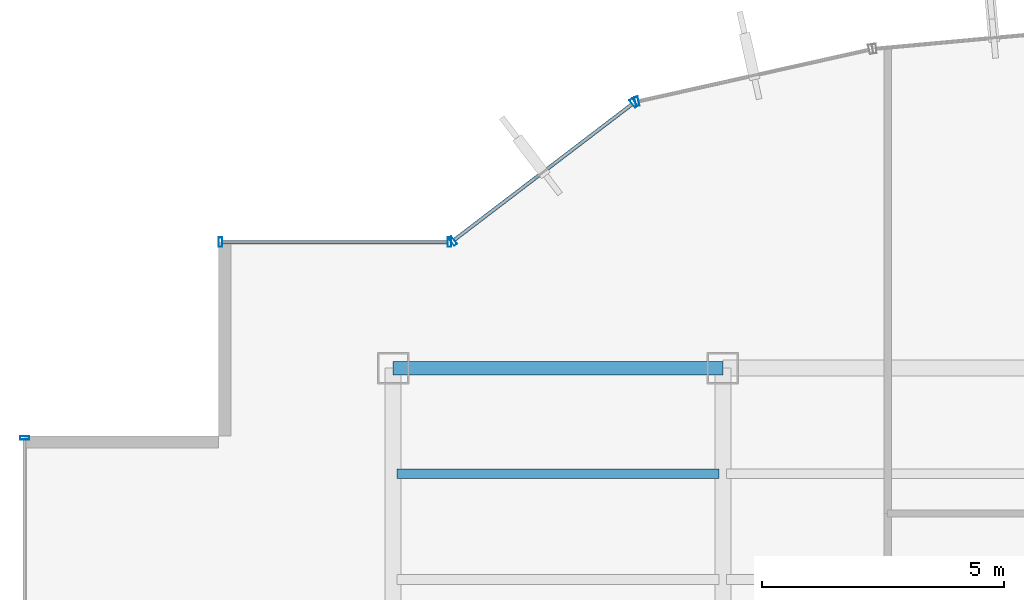
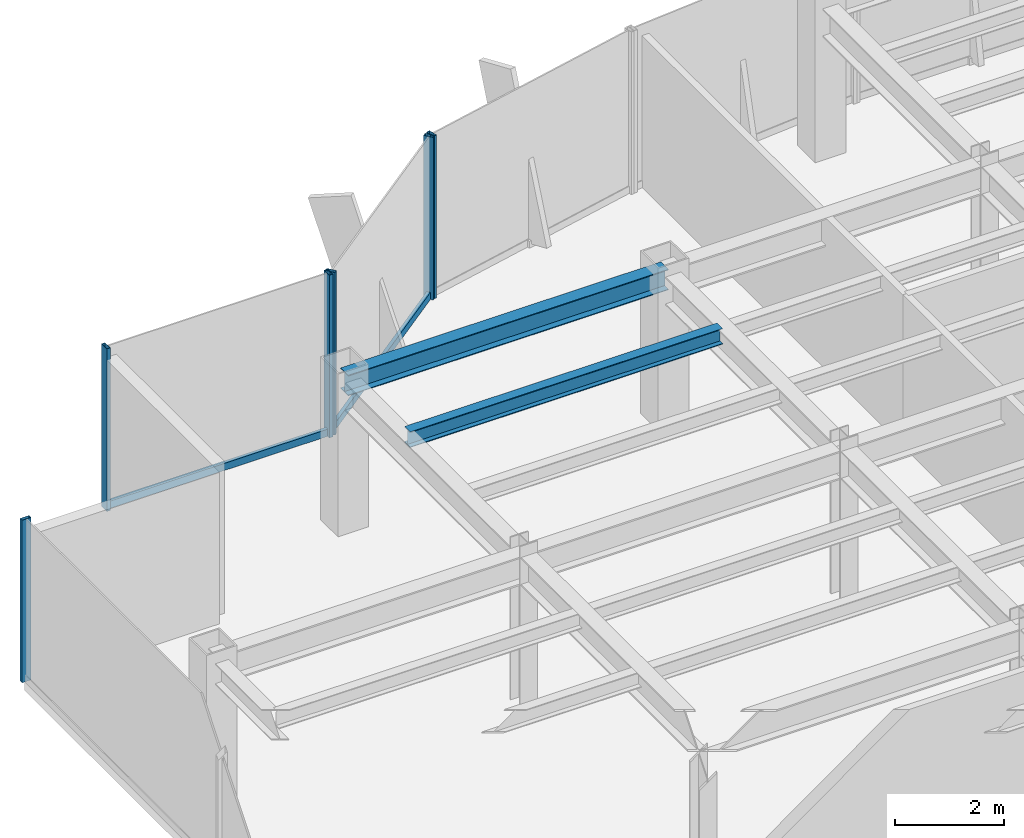
# One storey, part 14 of 25: 8 members, 2 beams, 4 elements without a shape of their own.
"""IFC4 building model written with IfcOpenShell, lengths in metres."""

from ifc_helpers import new_model, si_unit, derived_unit, direction, frame, origin, origin_2d, place, context, subcontext, project, spatial, hollow_rectangle, i_section, extrude, source, transform, mapped, material, material_profile, profile_set, type_object, element, aggregate, save


model = new_model("IFC4")

# Units and contexts
model_context = context("Model", 3, precision=1e-05, world=origin(), true_north=direction((0.0, 1.0)))
body_context = subcontext(model_context, "Body", "Model", "MODEL_VIEW")
ifc_project = project(units=[si_unit("LENGTHUNIT", "METRE"), si_unit("AREAUNIT", "SQUARE_METRE"), si_unit("VOLUMEUNIT", "CUBIC_METRE"), si_unit("PLANEANGLEUNIT", "RADIAN"), si_unit("MASSUNIT", "GRAM", prefix="KILO"), derived_unit("THERMALTRANSMITTANCEUNIT", [(si_unit("POWERUNIT", "WATT"), 1), (si_unit("LENGTHUNIT", "METRE"), -2), (si_unit("THERMODYNAMICTEMPERATUREUNIT", "KELVIN"), -1)])], contexts=[model_context])

# Site, building, storey
site_placement = place(None, origin())
site = spatial("IfcSite", under=ifc_project, at=site_placement, CompositionType="ELEMENT")
building_placement = place(site_placement, origin())
building = spatial("IfcBuilding", under=site, at=building_placement, Name="Skarnbrae Concourse Arena and Tower", CompositionType="ELEMENT")
storey_placement = place(building_placement, frame((0.0, 0.0, 177.10009765625)))
storey = spatial("IfcBuildingStorey", under=building, at=storey_placement, Name="L45", CompositionType="ELEMENT", Elevation=177.10009765625)

# Beams
ifc_material_1 = material(Name="Steel CSA G40.21 350W", Category="steel")
ifc_material_profile_1 = material_profile(ifc_material_1, i_section(OverallWidth=0.280029296875, OverallDepth=0.462890625, WebThickness=0.0107421875, FlangeThickness=0.017333984375, at=origin_2d()), Name="W460X113")
ifc_profile_set_1 = profile_set([ifc_material_profile_1], Name="Steel CSA G40.21 350W")
beam_type_1 = type_object("IfcBeamType", Name="BM-SPAN-W460X113", PredefinedType="SPANDREL", material=ifc_profile_set_1)
shared_shape_1 = source(origin(), body_context, "Body", "SweptSolid", [
    extrude(i_section(OverallWidth=0.280029296875, OverallDepth=0.462890625, WebThickness=0.0107421875, FlangeThickness=0.017333984375, at=origin_2d()), origin(), (0.0, 0.0, 1.0), 6.7998046875),
])
beam_1_placement = place(storey_placement, frame((7.60009765625, 34.39990234375, 3.16845703125), z_axis=(1.0, 0.0, 0.0), x_axis=(0.0, 1.0, 0.0)))
element("IfcBeam", 1, at=beam_1_placement, inside=storey, type_object=beam_type_1, Name="L45 Perimeter spandrel Y34.4-1", PredefinedType="SPANDREL", context=body_context, shape_type="MappedRepresentation", body=[
    mapped(shared_shape_1, transform((0.0, 0.0, 0.0))),
])
ifc_material_profile_2 = material_profile(ifc_material_1, i_section(OverallWidth=0.205078125, OverallDepth=0.35400390625, WebThickness=0.009521484375, FlangeThickness=0.016845703125, at=origin_2d()), Name="W360X79")
ifc_profile_set_2 = profile_set([ifc_material_profile_2], Name="Steel CSA G40.21 350W")
beam_type_2 = type_object("IfcBeamType", Name="BM-JOIST-W360X79", PredefinedType="JOIST", material=ifc_profile_set_2)
shared_shape_2 = source(origin(), body_context, "Body", "SweptSolid", [
    extrude(i_section(OverallWidth=0.205078125, OverallDepth=0.35400390625, WebThickness=0.009521484375, FlangeThickness=0.016845703125, at=origin_2d()), origin(), (0.0, 0.0, 1.0), 6.64013671875),
])
beam_2_placement = place(storey_placement, frame((7.679931640625, 32.221923828125, 3.222900390625), z_axis=(1.0, 0.0, 0.0), x_axis=(0.0, 1.0, 0.0)))
element("IfcBeam", 2, at=beam_2_placement, inside=storey, type_object=beam_type_2, Name="L45 Secondary floor joist 3.2.1", PredefinedType="JOIST", context=body_context, shape_type="MappedRepresentation", body=[
    mapped(shared_shape_2, transform((0.0, 0.0, 0.0))),
])

# Curtain wall, member
ifc_material_2 = material(Name="Bronze anodised aluminium 6063-T6", Category="aluminium")
curtain_wall_type = type_object("IfcCurtainWallType", Name="CW-SYS-04-MIDZONE", PredefinedType="USERDEFINED", material=ifc_material_2)
curtain_wall_1_placement = place(storey_placement, origin())
curtain_wall_1 = element("IfcCurtainWall", 3, at=curtain_wall_1_placement, inside=storey, type_object=curtain_wall_type, Name="L45 Unitised curtain wall CW-L45-E13", ObjectType="UNITISED CURTAIN WALL", PredefinedType="USERDEFINED")
ifc_material_profile_3 = material_profile(ifc_material_2, hollow_rectangle(XDim=0.074951171875, YDim=0.195068359375, WallThickness=0.00439453125, at=origin_2d()), Name="ALU-MULL-75X195")
ifc_profile_set_3 = profile_set([ifc_material_profile_3], Name="Bronze anodised aluminium 6063-T6")
member_type_1 = type_object("IfcMemberType", Name="CWM-CW-04", PredefinedType="MULLION", material=ifc_profile_set_3)
shared_shape_3 = source(origin(), body_context, "Body", "SweptSolid", [
    extrude(hollow_rectangle(XDim=0.074951171875, YDim=0.195068359375, WallThickness=0.00439453125, at=origin_2d()), origin(), (0.0, 0.0, 1.0), 3.64990234375),
])
member_1_placement = place(storey_placement, frame((12.627197265625, 39.90087890625, 0.0), z_axis=(0.0, 0.0, 1.0), x_axis=(-0.975936175393, -0.218056372433, 0.0)))
member_1 = element("IfcMember", 4, at=member_1_placement, type_object=member_type_1, Name="CW-L45-E13 Mullion 2", PredefinedType="MULLION", context=body_context, shape_type="MappedRepresentation", body=[
    mapped(shared_shape_3, transform((0.0, 0.0, 0.0))),
])
aggregate(curtain_wall_1, [member_1])

# Curtain wall, members
curtain_wall_2_placement = place(storey_placement, origin())
curtain_wall_2 = element("IfcCurtainWall", 5, at=curtain_wall_2_placement, inside=storey, type_object=curtain_wall_type, Name="L45 Unitised curtain wall CW-L45-E14", ObjectType="UNITISED CURTAIN WALL", PredefinedType="USERDEFINED")
member_2_placement = place(storey_placement, frame((12.560791015625, 39.869873046875, 0.0), z_axis=(0.0, 0.0, 1.0), x_axis=(-0.794956000706, -0.606667089054, 0.0)))
member_2 = element("IfcMember", 6, at=member_2_placement, type_object=member_type_1, Name="CW-L45-E14 Mullion 1", PredefinedType="MULLION", context=body_context, shape_type="MappedRepresentation", body=[
    mapped(shared_shape_3, transform((0.0, 0.0, 0.0))),
])
member_3_placement = place(storey_placement, frame((8.829833984375, 37.022705078125, 0.0), z_axis=(0.0, 0.0, 1.0), x_axis=(-0.794956000706, -0.606667089054, 0.0)))
member_3 = element("IfcMember", 7, at=member_3_placement, type_object=member_type_1, Name="CW-L45-E14 Mullion 2", PredefinedType="MULLION", context=body_context, shape_type="MappedRepresentation", body=[
    mapped(shared_shape_3, transform((0.0, 0.0, 0.0))),
])

curtain_wall_3_placement = place(storey_placement, origin())
curtain_wall_3 = element("IfcCurtainWall", 8, at=curtain_wall_3_placement, inside=storey, type_object=curtain_wall_type, Name="L45 Unitised curtain wall CW-L45-E15", ObjectType="UNITISED CURTAIN WALL", PredefinedType="USERDEFINED")
member_4_placement = place(storey_placement, frame((8.762451171875, 37.0, 0.0), z_axis=(0.0, 0.0, 1.0), x_axis=(-1.0, 0.0, 0.0)))
member_4 = element("IfcMember", 9, at=member_4_placement, type_object=member_type_1, Name="CW-L45-E15 Mullion 1", PredefinedType="MULLION", context=body_context, shape_type="MappedRepresentation", body=[
    mapped(shared_shape_3, transform((0.0, 0.0, 0.0))),
])
member_5_placement = place(storey_placement, frame((4.03759765625, 37.0, 0.0), z_axis=(0.0, 0.0, 1.0), x_axis=(-1.0, 0.0, 0.0)))
member_5 = element("IfcMember", 10, at=member_5_placement, type_object=member_type_1, Name="CW-L45-E15 Mullion 2", PredefinedType="MULLION", context=body_context, shape_type="MappedRepresentation", body=[
    mapped(shared_shape_3, transform((0.0, 0.0, 0.0))),
])

# Curtain wall, member
curtain_wall_4_placement = place(storey_placement, origin())
curtain_wall_4 = element("IfcCurtainWall", 11, at=curtain_wall_4_placement, inside=storey, type_object=curtain_wall_type, Name="L45 Unitised curtain wall CW-L45-E18", ObjectType="UNITISED CURTAIN WALL", PredefinedType="USERDEFINED")
member_6_placement = place(storey_placement, frame((0.0, 32.96240234375, 0.0), z_axis=(0.0, 0.0, 1.0), x_axis=(0.0, -1.0, 0.0)))
member_6 = element("IfcMember", 12, at=member_6_placement, type_object=member_type_1, Name="CW-L45-E18 Mullion 1", PredefinedType="MULLION", context=body_context, shape_type="MappedRepresentation", body=[
    mapped(shared_shape_3, transform((0.0, 0.0, 0.0))),
])
aggregate(curtain_wall_4, [member_6])

# Member
ifc_material_profile_4 = material_profile(ifc_material_2, hollow_rectangle(XDim=0.074951171875, YDim=0.159912109375, WallThickness=0.00439453125, at=origin_2d()), Name="ALU-TRAN-75X160")
ifc_profile_set_4 = profile_set([ifc_material_profile_4], Name="Bronze anodised aluminium 6063-T6")
member_type_2 = type_object("IfcMemberType", Name="CWT-CW-04", PredefinedType="USERDEFINED", material=ifc_profile_set_4)
shared_shape_4 = source(origin(), body_context, "Body", "SweptSolid", [
    extrude(hollow_rectangle(XDim=0.074951171875, YDim=0.159912109375, WallThickness=0.00439453125, at=origin_2d()), origin(), (0.0, 0.0, 1.0), 4.650146484375),
])
member_7_placement = place(storey_placement, frame((8.72509765625, 37.0, 0.079833984375), z_axis=(-1.0, 0.0, 0.0), x_axis=(0.0, -1.0, 0.0)))
member_7 = element("IfcMember", 13, at=member_7_placement, type_object=member_type_2, Name="CW-L45-E15 Transom 1", ObjectType="TRANSOM", PredefinedType="USERDEFINED", context=body_context, shape_type="MappedRepresentation", body=[
    mapped(shared_shape_4, transform((0.0, 0.0, 0.0))),
])

aggregate(curtain_wall_3, [member_4, member_5, member_7])

shared_shape_5 = source(origin(), body_context, "Body", "SweptSolid", [
    extrude(hollow_rectangle(XDim=0.074951171875, YDim=0.159912109375, WallThickness=0.00439453125, at=origin_2d()), origin(), (0.0, 0.0, 1.0), 4.618408203125),
])
member_8_placement = place(storey_placement, frame((12.531005859375, 39.84716796875, 0.079833984375), z_axis=(-0.794960638756, -0.606661011462, 0.0), x_axis=(0.606661011462, -0.794960638756, 0.0)))
member_8 = element("IfcMember", 14, at=member_8_placement, type_object=member_type_2, Name="CW-L45-E14 Transom 1", ObjectType="TRANSOM", PredefinedType="USERDEFINED", context=body_context, shape_type="MappedRepresentation", body=[
    mapped(shared_shape_5, transform((0.0, 0.0, 0.0))),
])

aggregate(curtain_wall_2, [member_2, member_3, member_8])

save(model, "model.ifc")
